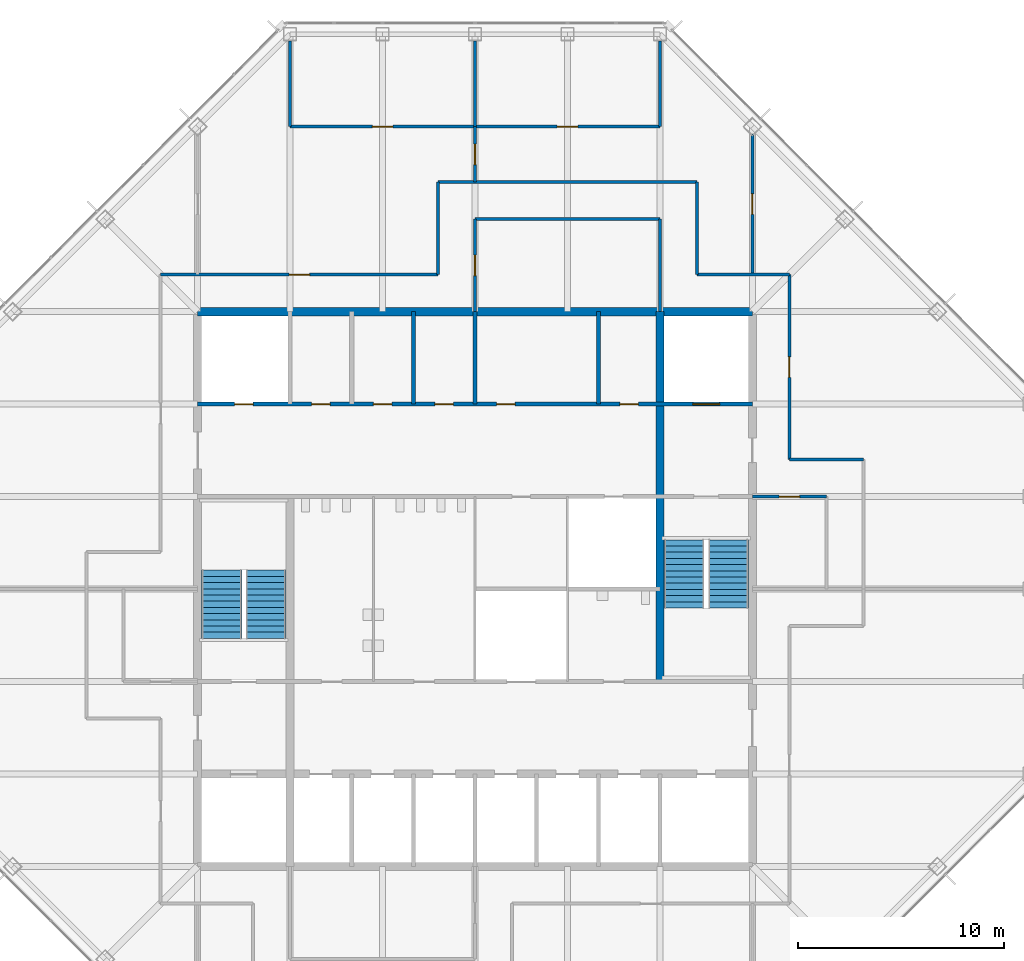
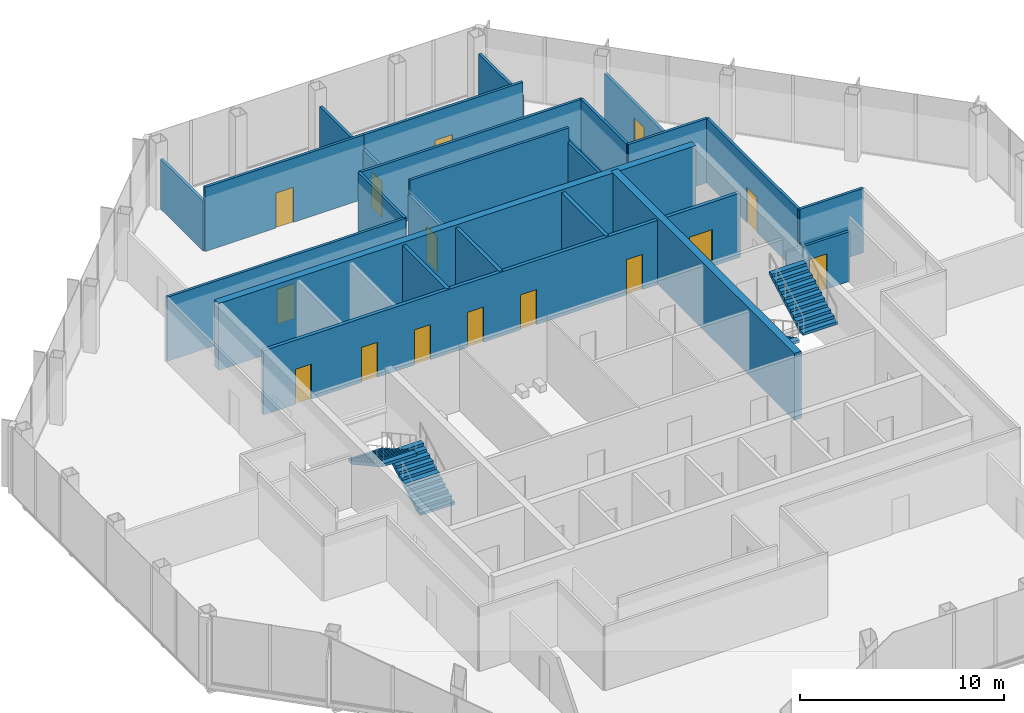
# One storey, part 11 of 13: 24 walls, 15 doors, 4 stair flights, 15 openings, 2 elements without a shape of their own.
"""IFC4 building model written with IfcOpenShell, lengths in metres."""

from ifc_helpers import new_model, si_unit, direction, frame, frame_2d, origin, place, context, subcontext, project, spatial, polyline, rectangle, outline, extrude, material, layer, layer_set, type_object, element, fill, aggregate, save


model = new_model("IFC4")

# Units and contexts
model_context = context("Model", 3, precision=1e-05, world=origin(), true_north=direction((0.0, 1.0)))
body_context = subcontext(model_context, "Body", "Model", "MODEL_VIEW")
ifc_project = project(units=[si_unit("LENGTHUNIT", "METRE"), si_unit("AREAUNIT", "SQUARE_METRE"), si_unit("VOLUMEUNIT", "CUBIC_METRE"), si_unit("PLANEANGLEUNIT", "RADIAN"), si_unit("MASSUNIT", "GRAM", prefix="KILO")], contexts=[model_context])

# Site, building, storey
site_placement = place(None, origin())
site = spatial("IfcSite", under=ifc_project, at=site_placement, CompositionType="ELEMENT")
building_placement = place(site_placement, origin())
building = spatial("IfcBuilding", under=site, at=building_placement, Name="Corais Broadcast Tower", CompositionType="ELEMENT")
storey_placement = place(building_placement, frame((0.0, 0.0, 242.60009765625)))
storey = spatial("IfcBuildingStorey", under=building, at=storey_placement, Name="L56", CompositionType="ELEMENT", Elevation=242.60009765625)

# Walls
ifc_material_1 = material(Name="Concrete C50/60", Category="concrete")
ifc_layer_1 = layer(ifc_material_1, 0.39990234375)
ifc_layer_set_1 = layer_set([ifc_layer_1], Name="Concrete C50/60")
wall_type_1 = type_object("IfcWallType", Name="Core wall 400", PredefinedType="SHEAR", material=ifc_layer_set_1)
wall_1_placement = place(storey_placement, frame((40.5, 40.5, 0.0), z_axis=(0.0, 0.0, 1.0), x_axis=(-1.0, 0.0, 0.0)))
element("IfcWall", 1, at=wall_1_placement, inside=storey, type_object=wall_type_1, Name="CR400 core wall N L56", PredefinedType="SHEAR", context=body_context, shape_type="SweptSolid", body=[
    extrude(rectangle(XDim=27.0, YDim=0.39990234375, at=frame_2d((13.5, 0.0))), origin(), (0.0, 0.0, 1.0), 4.0),
])
wall_2_placement = place(storey_placement, frame((36.0, 22.5, 0.0), z_axis=(0.0, 0.0, 1.0), x_axis=(0.0, 1.0, 0.0)))
element("IfcWall", 2, at=wall_2_placement, inside=storey, type_object=wall_type_1, Name="CR400 core wall X36B L56", PredefinedType="SHEAR", context=body_context, shape_type="SweptSolid", body=[
    extrude(rectangle(XDim=18.0, YDim=0.39990234375, at=frame_2d((9.0, 0.0))), origin(), (0.0, 0.0, 1.0), 4.0),
])

# Wall, openings, doors
ifc_material_2 = material(Name="Concrete blockwork class A, grouted, four-hour", Category="masonry")
ifc_layer_2 = layer(ifc_material_2, 0.199951171875)
ifc_layer_set_2 = layer_set([ifc_layer_2], Name="Concrete blockwork class A, grouted, four-hour")
wall_type_2 = type_object("IfcWallType", Name="Emergency lift shaft wall 200", PredefinedType="SOLIDWALL", material=ifc_layer_set_2)
wall_3_placement = place(storey_placement, frame((13.5, 36.0, 0.0), z_axis=(0.0, 0.0, 1.0), x_axis=(1.0, 0.0, 0.0)))
wall_3 = element("IfcWall", 3, at=wall_3_placement, inside=storey, type_object=wall_type_2, Name="LS3 core lobby wall Y36 L56", PredefinedType="SOLIDWALL", context=body_context, shape_type="SweptSolid", body=[
    extrude(rectangle(XDim=27.0, YDim=0.199951171875, at=frame_2d((13.5, 0.0))), origin(), (0.0, 0.0, 1.0), 3.83984375),
])
opening_1_placement = place(wall_3_placement, frame((1.800048828125, 0.0, 0.0)))
opening_1 = element("IfcOpeningElement", 4, at=opening_1_placement, cuts=wall_3, Name="Opening RD1", PredefinedType="OPENING", context=body_context, shape_type="SweptSolid", body=[
    extrude(rectangle(XDim=0.89990234375, YDim=2.10009765625, at=frame_2d((0.449951171875, 1.050048828125))), frame((0.0, 0.10986328125, 0.0), z_axis=(0.0, -1.0, 0.0), x_axis=(1.0, 0.0, 0.0)), (0.0, 0.0, 1.0), 0.219970703125),
])
opening_2_placement = place(wall_3_placement, frame((5.550048828125, 0.0, 0.0)))
opening_2 = element("IfcOpeningElement", 5, at=opening_2_placement, cuts=wall_3, Name="Opening RD1", PredefinedType="OPENING", context=body_context, shape_type="SweptSolid", body=[
    extrude(rectangle(XDim=0.89990234375, YDim=2.10009765625, at=frame_2d((0.449951171875, 1.050048828125))), frame((0.0, 0.10986328125, 0.0), z_axis=(0.0, -1.0, 0.0), x_axis=(1.0, 0.0, 0.0)), (0.0, 0.0, 1.0), 0.219970703125),
])
opening_3_placement = place(wall_3_placement, frame((8.550048828125, 0.0, 0.0)))
opening_3 = element("IfcOpeningElement", 6, at=opening_3_placement, cuts=wall_3, Name="Opening RD1", PredefinedType="OPENING", context=body_context, shape_type="SweptSolid", body=[
    extrude(rectangle(XDim=0.89990234375, YDim=2.10009765625, at=frame_2d((0.449951171875, 1.050048828125))), frame((0.0, 0.10986328125, 0.0), z_axis=(0.0, -1.0, 0.0), x_axis=(1.0, 0.0, 0.0)), (0.0, 0.0, 1.0), 0.219970703125),
])
opening_4_placement = place(wall_3_placement, frame((11.550048828125, 0.0, 0.0)))
opening_4 = element("IfcOpeningElement", 7, at=opening_4_placement, cuts=wall_3, Name="Opening RD1", PredefinedType="OPENING", context=body_context, shape_type="SweptSolid", body=[
    extrude(rectangle(XDim=0.89990234375, YDim=2.10009765625, at=frame_2d((0.449951171875, 1.050048828125))), frame((0.0, 0.10986328125, 0.0), z_axis=(0.0, -1.0, 0.0), x_axis=(1.0, 0.0, 0.0)), (0.0, 0.0, 1.0), 0.219970703125),
])
opening_5_placement = place(wall_3_placement, frame((14.550048828125, 0.0, 0.0)))
opening_5 = element("IfcOpeningElement", 8, at=opening_5_placement, cuts=wall_3, Name="Opening RD1", PredefinedType="OPENING", context=body_context, shape_type="SweptSolid", body=[
    extrude(rectangle(XDim=0.89990234375, YDim=2.10009765625, at=frame_2d((0.449951171875, 1.050048828125))), frame((0.0, 0.10986328125, 0.0), z_axis=(0.0, -1.0, 0.0), x_axis=(1.0, 0.0, 0.0)), (0.0, 0.0, 1.0), 0.219970703125),
])
opening_6_placement = place(wall_3_placement, frame((20.550048828125, 0.0, 0.0)))
opening_6 = element("IfcOpeningElement", 9, at=opening_6_placement, cuts=wall_3, Name="Opening RD1", PredefinedType="OPENING", context=body_context, shape_type="SweptSolid", body=[
    extrude(rectangle(XDim=0.89990234375, YDim=2.10009765625, at=frame_2d((0.449951171875, 1.050048828125))), frame((0.0, 0.10986328125, 0.0), z_axis=(0.0, -1.0, 0.0), x_axis=(1.0, 0.0, 0.0)), (0.0, 0.0, 1.0), 0.219970703125),
])
opening_7_placement = place(wall_3_placement, frame((24.10009765625, 0.0, 0.0)))
opening_7 = element("IfcOpeningElement", 10, at=opening_7_placement, cuts=wall_3, Name="Opening LD2", PredefinedType="OPENING", context=body_context, shape_type="SweptSolid", body=[
    extrude(rectangle(XDim=1.300048828125, YDim=2.199951171875, at=frame_2d((0.64990234375, 1.10009765625))), frame((0.0, 0.10986328125, 0.0), z_axis=(0.0, -1.0, 0.0), x_axis=(1.0, 0.0, 0.0)), (0.0, 0.0, 1.0), 0.219970703125),
])
ifc_material_3 = material(Name="Stainless steel lift door", Category="steel")
door_type_1 = type_object("IfcDoorType", Name="Lift landing door 1300x2200", OperationType="SLIDING_TO_LEFT", PredefinedType="DOOR", material=ifc_material_3)
door_1_placement = place(opening_7_placement, origin())
door_1 = element("IfcDoor", 11, at=door_1_placement, inside=storey, type_object=door_type_1, Name="LD2 FL2 landing door L56", OperationType="SLIDING_TO_LEFT", OverallHeight=2.199951171875, OverallWidth=1.300048828125, PredefinedType="DOOR", context=body_context, shape_type="SweptSolid", body=[
    extrude(rectangle(XDim=1.300048828125, YDim=2.199951171875, at=frame_2d((0.64990234375, 1.10009765625))), frame((0.0, 0.02490234375, 0.0), z_axis=(0.0, -1.0, 0.0), x_axis=(1.0, 0.0, 0.0)), (0.0, 0.0, 1.0), 0.050048828125),
])
fill(opening_7, door_1)
ifc_material_4 = material(Name="Steel fire door", Category="steel")
door_type_2 = type_object("IfcDoorType", Name="Riser door 900x2100", OperationType="SINGLE_SWING_LEFT", PredefinedType="DOOR", material=ifc_material_4)
door_2_placement = place(opening_1_placement, origin())
door_2 = element("IfcDoor", 12, at=door_2_placement, inside=storey, type_object=door_type_2, Name="RD1 riser door L56", OperationType="SINGLE_SWING_LEFT", OverallHeight=2.10009765625, OverallWidth=0.89990234375, PredefinedType="DOOR", context=body_context, shape_type="SweptSolid", body=[
    extrude(rectangle(XDim=0.89990234375, YDim=2.10009765625, at=frame_2d((0.449951171875, 1.050048828125))), frame((0.0, 0.02490234375, 0.0), z_axis=(0.0, -1.0, 0.0), x_axis=(1.0, 0.0, 0.0)), (0.0, 0.0, 1.0), 0.050048828125),
])
fill(opening_1, door_2)
door_3_placement = place(opening_2_placement, origin())
door_3 = element("IfcDoor", 13, at=door_3_placement, inside=storey, type_object=door_type_2, Name="RD1 stationery store door L56", OperationType="SINGLE_SWING_LEFT", OverallHeight=2.10009765625, OverallWidth=0.89990234375, PredefinedType="DOOR", context=body_context, shape_type="SweptSolid", body=[
    extrude(rectangle(XDim=0.89990234375, YDim=2.10009765625, at=frame_2d((0.449951171875, 1.050048828125))), frame((0.0, 0.02490234375, 0.0), z_axis=(0.0, -1.0, 0.0), x_axis=(1.0, 0.0, 0.0)), (0.0, 0.0, 1.0), 0.050048828125),
])
fill(opening_2, door_3)
door_4_placement = place(opening_3_placement, origin())
door_4 = element("IfcDoor", 14, at=door_4_placement, inside=storey, type_object=door_type_2, Name="RD1 vending room door L56", OperationType="SINGLE_SWING_LEFT", OverallHeight=2.10009765625, OverallWidth=0.89990234375, PredefinedType="DOOR", context=body_context, shape_type="SweptSolid", body=[
    extrude(rectangle(XDim=0.89990234375, YDim=2.10009765625, at=frame_2d((0.449951171875, 1.050048828125))), frame((0.0, 0.02490234375, 0.0), z_axis=(0.0, -1.0, 0.0), x_axis=(1.0, 0.0, 0.0)), (0.0, 0.0, 1.0), 0.050048828125),
])
fill(opening_3, door_4)
door_5_placement = place(opening_4_placement, origin())
door_5 = element("IfcDoor", 15, at=door_5_placement, inside=storey, type_object=door_type_2, Name="RD1 av equipment room door L56", OperationType="SINGLE_SWING_LEFT", OverallHeight=2.10009765625, OverallWidth=0.89990234375, PredefinedType="DOOR", context=body_context, shape_type="SweptSolid", body=[
    extrude(rectangle(XDim=0.89990234375, YDim=2.10009765625, at=frame_2d((0.449951171875, 1.050048828125))), frame((0.0, 0.02490234375, 0.0), z_axis=(0.0, -1.0, 0.0), x_axis=(1.0, 0.0, 0.0)), (0.0, 0.0, 1.0), 0.050048828125),
])
fill(opening_4, door_5)
door_6_placement = place(opening_5_placement, origin())
door_6 = element("IfcDoor", 16, at=door_6_placement, inside=storey, type_object=door_type_2, Name="RD1 media store door L56", OperationType="SINGLE_SWING_RIGHT", OverallHeight=2.10009765625, OverallWidth=0.89990234375, PredefinedType="DOOR", context=body_context, shape_type="SweptSolid", body=[
    extrude(rectangle(XDim=0.89990234375, YDim=2.10009765625, at=frame_2d((0.449951171875, 1.050048828125))), frame((0.0, 0.02490234375, 0.0), z_axis=(0.0, -1.0, 0.0), x_axis=(1.0, 0.0, 0.0)), (0.0, 0.0, 1.0), 0.050048828125),
])
fill(opening_5, door_6)
door_7_placement = place(opening_6_placement, origin())
door_7 = element("IfcDoor", 17, at=door_7_placement, inside=storey, type_object=door_type_2, Name="RD1 locker room door L56", OperationType="SINGLE_SWING_RIGHT", OverallHeight=2.10009765625, OverallWidth=0.89990234375, PredefinedType="DOOR", context=body_context, shape_type="SweptSolid", body=[
    extrude(rectangle(XDim=0.89990234375, YDim=2.10009765625, at=frame_2d((0.449951171875, 1.050048828125))), frame((0.0, 0.02490234375, 0.0), z_axis=(0.0, -1.0, 0.0), x_axis=(1.0, 0.0, 0.0)), (0.0, 0.0, 1.0), 0.050048828125),
])
fill(opening_6, door_7)

# Wall, opening, door
ifc_material_5 = material(Name="Gypsum board on steel studs", Category="steel")
ifc_layer_3 = layer(ifc_material_5, 0.14990234375)
ifc_layer_set_3 = layer_set([ifc_layer_3], Name="Gypsum board on steel studs")
wall_type_3 = type_object("IfcWallType", Name="Partition 150", PredefinedType="PARTITIONING", material=ifc_layer_set_3)
wall_4_placement = place(storey_placement, frame((25.199951171875, 42.300048828125, 0.0), z_axis=(0.0, 0.0, 1.0), x_axis=(-1.0, 0.0, 0.0)))
wall_4 = element("IfcWall", 18, at=wall_4_placement, inside=storey, type_object=wall_type_3, Name="IW3 corridor wall L56", PredefinedType="PARTITIONING", context=body_context, shape_type="SweptSolid", body=[
    extrude(rectangle(XDim=13.5, YDim=0.14990234375, at=frame_2d((6.75, 0.0))), origin(), (0.0, 0.0, 1.0), 3.83984375),
])
opening_8_placement = place(wall_4_placement, frame((6.25, 0.0, 0.0)))
opening_8 = element("IfcOpeningElement", 19, at=opening_8_placement, cuts=wall_4, Name="Opening D1", PredefinedType="OPENING", context=body_context, shape_type="SweptSolid", body=[
    extrude(rectangle(XDim=1.0, YDim=2.10009765625, at=frame_2d((0.5, 1.050048828125))), frame((0.0, 0.0849609375, 0.0), z_axis=(0.0, -1.0, 0.0), x_axis=(1.0, 0.0, 0.0)), (0.0, 0.0, 1.0), 0.169921875),
])
ifc_material_6 = material(Name="Timber door", Category="wood")
door_type_3 = type_object("IfcDoorType", Name="Single door 1000x2100", OperationType="SINGLE_SWING_LEFT", PredefinedType="DOOR", material=ifc_material_6)
door_8_placement = place(opening_8_placement, origin())
door_8 = element("IfcDoor", 20, at=door_8_placement, inside=storey, type_object=door_type_3, Name="D1 workplace door L56", OperationType="SINGLE_SWING_LEFT", OverallHeight=2.10009765625, OverallWidth=1.0, PredefinedType="DOOR", context=body_context, shape_type="SweptSolid", body=[
    extrude(rectangle(XDim=1.0, YDim=2.10009765625, at=frame_2d((0.5, 1.050048828125))), frame((0.0, 0.02490234375, 0.0), z_axis=(0.0, -1.0, 0.0), x_axis=(1.0, 0.0, 0.0)), (0.0, 0.0, 1.0), 0.050048828125),
])
fill(opening_8, door_8)

# Wall
wall_5_placement = place(storey_placement, frame((37.800048828125, 46.800048828125, 0.0), z_axis=(0.0, 0.0, 1.0), x_axis=(-1.0, 0.0, 0.0)))
element("IfcWall", 21, at=wall_5_placement, inside=storey, type_object=wall_type_3, Name="IW3 corridor wall L56", PredefinedType="PARTITIONING", context=body_context, shape_type="SweptSolid", body=[
    extrude(rectangle(XDim=12.60009765625, YDim=0.14990234375, at=frame_2d((6.300048828125, 0.0))), origin(), (0.0, 0.0, 1.0), 3.83984375),
])

# Wall, opening, door
wall_6_placement = place(storey_placement, frame((42.300048828125, 33.300048828125, 0.0), z_axis=(0.0, 0.0, 1.0), x_axis=(0.0, 1.0, 0.0)))
wall_6 = element("IfcWall", 22, at=wall_6_placement, inside=storey, type_object=wall_type_3, Name="IW3 corridor wall L56", PredefinedType="PARTITIONING", context=body_context, shape_type="SweptSolid", body=[
    extrude(rectangle(XDim=9.0, YDim=0.14990234375, at=frame_2d((4.5, 0.0))), origin(), (0.0, 0.0, 1.0), 3.83984375),
])
opening_9_placement = place(wall_6_placement, frame((4.0, 0.0, 0.0)))
opening_9 = element("IfcOpeningElement", 23, at=opening_9_placement, cuts=wall_6, Name="Opening D1", PredefinedType="OPENING", context=body_context, shape_type="SweptSolid", body=[
    extrude(rectangle(XDim=1.0, YDim=2.10009765625, at=frame_2d((0.5, 1.050048828125))), frame((0.0, 0.0849609375, 0.0), z_axis=(0.0, -1.0, 0.0), x_axis=(1.0, 0.0, 0.0)), (0.0, 0.0, 1.0), 0.169921875),
])
door_9_placement = place(opening_9_placement, origin())
door_9 = element("IfcDoor", 24, at=door_9_placement, inside=storey, type_object=door_type_3, Name="D1 workplace door L56", OperationType="SINGLE_SWING_LEFT", OverallHeight=2.10009765625, OverallWidth=1.0, PredefinedType="DOOR", context=body_context, shape_type="SweptSolid", body=[
    extrude(rectangle(XDim=1.0, YDim=2.10009765625, at=frame_2d((0.5, 1.050048828125))), frame((0.0, 0.02490234375, 0.0), z_axis=(0.0, -1.0, 0.0), x_axis=(1.0, 0.0, 0.0)), (0.0, 0.0, 1.0), 0.050048828125),
])
fill(opening_9, door_9)

# Walls
for number, where, z_axis, x_axis, name in (
    (25, (25.199951171875, 46.800048828125, 0.0), (0.0, 0.0, 1.0), (0.0, -1.0, 0.0), "IW3 corridor wall L56"),
    (26, (37.800048828125, 42.300048828125, 0.0), (0.0, 0.0, 1.0), (0.0, 1.0, 0.0), "IW3 corridor wall L56"),
    (27, (42.300048828125, 42.300048828125, 0.0), (0.0, 0.0, 1.0), (-1.0, 0.0, 0.0), "IW3 corridor wall L56"),
):
    element("IfcWall", number, at=place(storey_placement, frame(where, z_axis=z_axis, x_axis=x_axis)), inside=storey, type_object=wall_type_3, Name=name, PredefinedType="PARTITIONING", context=body_context, shape_type="SweptSolid", body=[
        extrude(rectangle(XDim=4.5, YDim=0.14990234375, at=frame_2d((2.25, 0.0))), origin(), (0.0, 0.0, 1.0), 3.83984375),
    ])
wall_7_placement = place(storey_placement, frame((45.89990234375, 33.300048828125, 0.0), z_axis=(0.0, 0.0, 1.0), x_axis=(-1.0, 0.0, 0.0)))
element("IfcWall", 28, at=wall_7_placement, inside=storey, type_object=wall_type_3, Name="IW3 corridor wall L56", PredefinedType="PARTITIONING", context=body_context, shape_type="SweptSolid", body=[
    extrude(rectangle(XDim=3.599853515625, YDim=0.14990234375, at=frame_2d((1.7998046875, 0.0))), origin(), (0.0, 0.0, 1.0), 3.83984375),
])
wall_8_placement = place(storey_placement, frame((36.0, 40.5, 0.0), z_axis=(0.0, 0.0, 1.0), x_axis=(0.0, 1.0, 0.0)))
element("IfcWall", 29, at=wall_8_placement, inside=storey, type_object=wall_type_3, Name="IW3 partition L56", PredefinedType="PARTITIONING", context=body_context, shape_type="SweptSolid", body=[
    extrude(rectangle(XDim=4.5, YDim=0.14990234375, at=frame_2d((2.25, 0.0))), origin(), (0.0, 0.0, 1.0), 2.989013671875),
])
wall_9_placement = place(storey_placement, frame((36.0, 45.0, 0.0), z_axis=(0.0, 0.0, 1.0), x_axis=(-1.0, 0.0, 0.0)))
element("IfcWall", 30, at=wall_9_placement, inside=storey, type_object=wall_type_3, Name="IW3 partition L56", PredefinedType="PARTITIONING", context=body_context, shape_type="SweptSolid", body=[
    extrude(rectangle(XDim=9.0, YDim=0.14990234375, at=frame_2d((4.5, 0.0))), origin(), (0.0, 0.0, 1.0), 3.83984375),
])

# Wall, opening, door
wall_10_placement = place(storey_placement, frame((27.0, 45.0, 0.0), z_axis=(0.0, 0.0, 1.0), x_axis=(0.0, -1.0, 0.0)))
wall_10 = element("IfcWall", 31, at=wall_10_placement, inside=storey, type_object=wall_type_3, Name="IW3 partition L56", PredefinedType="PARTITIONING", context=body_context, shape_type="SweptSolid", body=[
    extrude(rectangle(XDim=4.5, YDim=0.14990234375, at=frame_2d((2.25, 0.0))), origin(), (0.0, 0.0, 1.0), 2.989013671875),
])
opening_10_placement = place(wall_10_placement, frame((1.75, 0.0, 0.0)))
opening_10 = element("IfcOpeningElement", 32, at=opening_10_placement, cuts=wall_10, Name="Opening D1", PredefinedType="OPENING", context=body_context, shape_type="SweptSolid", body=[
    extrude(rectangle(XDim=1.0, YDim=2.10009765625, at=frame_2d((0.5, 1.050048828125))), frame((0.0, 0.0849609375, 0.0), z_axis=(0.0, -1.0, 0.0), x_axis=(1.0, 0.0, 0.0)), (0.0, 0.0, 1.0), 0.169921875),
])
door_10_placement = place(opening_10_placement, origin())
door_10 = element("IfcDoor", 33, at=door_10_placement, inside=storey, type_object=door_type_3, Name="D1 Meeting room door", OperationType="SINGLE_SWING_LEFT", OverallHeight=2.10009765625, OverallWidth=1.0, PredefinedType="DOOR", context=body_context, shape_type="SweptSolid", body=[
    extrude(rectangle(XDim=1.0, YDim=2.10009765625, at=frame_2d((0.5, 1.050048828125))), frame((0.0, 0.02490234375, 0.0), z_axis=(0.0, -1.0, 0.0), x_axis=(1.0, 0.0, 0.0)), (0.0, 0.0, 1.0), 0.050048828125),
])
fill(opening_10, door_10)

wall_11_placement = place(storey_placement, frame((44.10009765625, 31.5, 0.0), z_axis=(0.0, 0.0, 1.0), x_axis=(-1.0, 0.0, 0.0)))
wall_11 = element("IfcWall", 34, at=wall_11_placement, inside=storey, type_object=wall_type_3, Name="IW3 partition L56", PredefinedType="PARTITIONING", context=body_context, shape_type="SweptSolid", body=[
    extrude(rectangle(XDim=3.60009765625, YDim=0.14990234375, at=frame_2d((1.800048828125, 0.0))), origin(), (0.0, 0.0, 1.0), 2.989013671875),
])
opening_11_placement = place(wall_11_placement, frame((1.300048828125, 0.0, 0.0)))
opening_11 = element("IfcOpeningElement", 35, at=opening_11_placement, cuts=wall_11, Name="Opening D1", PredefinedType="OPENING", context=body_context, shape_type="SweptSolid", body=[
    extrude(rectangle(XDim=1.0, YDim=2.10009765625, at=frame_2d((0.5, 1.050048828125))), frame((0.0, 0.0849609375, 0.0), z_axis=(0.0, -1.0, 0.0), x_axis=(1.0, 0.0, 0.0)), (0.0, 0.0, 1.0), 0.169921875),
])
door_11_placement = place(opening_11_placement, origin())
door_11 = element("IfcDoor", 36, at=door_11_placement, inside=storey, type_object=door_type_3, Name="D1 Pantry door", OperationType="SINGLE_SWING_LEFT", OverallHeight=2.10009765625, OverallWidth=1.0, PredefinedType="DOOR", context=body_context, shape_type="SweptSolid", body=[
    extrude(rectangle(XDim=1.0, YDim=2.10009765625, at=frame_2d((0.5, 1.050048828125))), frame((0.0, 0.02490234375, 0.0), z_axis=(0.0, -1.0, 0.0), x_axis=(1.0, 0.0, 0.0)), (0.0, 0.0, 1.0), 0.050048828125),
])
fill(opening_11, door_11)

wall_12_placement = place(storey_placement, frame((18.0, 49.5, 0.0), z_axis=(0.0, 0.0, 1.0), x_axis=(1.0, 0.0, 0.0)))
wall_12 = element("IfcWall", 37, at=wall_12_placement, inside=storey, type_object=wall_type_3, Name="IW3 partition L56", PredefinedType="PARTITIONING", context=body_context, shape_type="SweptSolid", body=[
    extrude(rectangle(XDim=9.0, YDim=0.14990234375, at=frame_2d((4.5, 0.0))), origin(), (0.0, 0.0, 1.0), 3.83984375),
])
opening_12_placement = place(wall_12_placement, frame((4.0, 0.0, 0.0)))
opening_12 = element("IfcOpeningElement", 38, at=opening_12_placement, cuts=wall_12, Name="Opening D1", PredefinedType="OPENING", context=body_context, shape_type="SweptSolid", body=[
    extrude(rectangle(XDim=1.0, YDim=2.10009765625, at=frame_2d((0.5, 1.050048828125))), frame((0.0, 0.0849609375, 0.0), z_axis=(0.0, -1.0, 0.0), x_axis=(1.0, 0.0, 0.0)), (0.0, 0.0, 1.0), 0.169921875),
])
door_12_placement = place(opening_12_placement, origin())
door_12 = element("IfcDoor", 39, at=door_12_placement, inside=storey, type_object=door_type_3, Name="D1 Office door", OperationType="SINGLE_SWING_LEFT", OverallHeight=2.10009765625, OverallWidth=1.0, PredefinedType="DOOR", context=body_context, shape_type="SweptSolid", body=[
    extrude(rectangle(XDim=1.0, YDim=2.10009765625, at=frame_2d((0.5, 1.050048828125))), frame((0.0, 0.02490234375, 0.0), z_axis=(0.0, -1.0, 0.0), x_axis=(1.0, 0.0, 0.0)), (0.0, 0.0, 1.0), 0.050048828125),
])
fill(opening_12, door_12)

# Walls
for number, where, z_axis, x_axis, name in (
    (40, (27.0, 49.5, 0.0), (0.0, 0.0, 1.0), (0.0, 1.0, 0.0), "IW3 partition L56"),
    (41, (18.0, 53.6650390625, 0.0), (0.0, 0.0, 1.0), (0.0, -1.0, 0.0), "IW3 partition L56"),
):
    element("IfcWall", number, at=place(storey_placement, frame(where, z_axis=z_axis, x_axis=x_axis)), inside=storey, type_object=wall_type_3, Name=name, PredefinedType="PARTITIONING", context=body_context, shape_type="SweptSolid", body=[
        extrude(rectangle(XDim=4.1650390625, YDim=0.14990234375, at=frame_2d((2.08251953125, 0.0))), origin(), (0.0, 0.0, 1.0), 2.989013671875),
    ])

# Wall, opening, door
wall_13_placement = place(storey_placement, frame((27.0, 49.5, 0.0), z_axis=(0.0, 0.0, 1.0), x_axis=(1.0, 0.0, 0.0)))
wall_13 = element("IfcWall", 42, at=wall_13_placement, inside=storey, type_object=wall_type_3, Name="IW3 partition L56", PredefinedType="PARTITIONING", context=body_context, shape_type="SweptSolid", body=[
    extrude(rectangle(XDim=9.0, YDim=0.14990234375, at=frame_2d((4.5, 0.0))), origin(), (0.0, 0.0, 1.0), 3.83984375),
])
opening_13_placement = place(wall_13_placement, frame((4.0, 0.0, 0.0)))
opening_13 = element("IfcOpeningElement", 43, at=opening_13_placement, cuts=wall_13, Name="Opening D1", PredefinedType="OPENING", context=body_context, shape_type="SweptSolid", body=[
    extrude(rectangle(XDim=1.0, YDim=2.10009765625, at=frame_2d((0.5, 1.050048828125))), frame((0.0, 0.0849609375, 0.0), z_axis=(0.0, -1.0, 0.0), x_axis=(1.0, 0.0, 0.0)), (0.0, 0.0, 1.0), 0.169921875),
])
door_13_placement = place(opening_13_placement, origin())
door_13 = element("IfcDoor", 44, at=door_13_placement, inside=storey, type_object=door_type_3, Name="D1 Office door", OperationType="SINGLE_SWING_LEFT", OverallHeight=2.10009765625, OverallWidth=1.0, PredefinedType="DOOR", context=body_context, shape_type="SweptSolid", body=[
    extrude(rectangle(XDim=1.0, YDim=2.10009765625, at=frame_2d((0.5, 1.050048828125))), frame((0.0, 0.02490234375, 0.0), z_axis=(0.0, -1.0, 0.0), x_axis=(1.0, 0.0, 0.0)), (0.0, 0.0, 1.0), 0.050048828125),
])
fill(opening_13, door_13)

# Wall
wall_14_placement = place(storey_placement, frame((36.0, 49.5, 0.0), z_axis=(0.0, 0.0, 1.0), x_axis=(0.0, 1.0, 0.0)))
element("IfcWall", 45, at=wall_14_placement, inside=storey, type_object=wall_type_3, Name="IW3 partition L56", PredefinedType="PARTITIONING", context=body_context, shape_type="SweptSolid", body=[
    extrude(rectangle(XDim=4.1650390625, YDim=0.14990234375, at=frame_2d((2.08251953125, 0.0))), origin(), (0.0, 0.0, 1.0), 2.989013671875),
])

# Wall, opening, door
wall_15_placement = place(storey_placement, frame((27.0, 49.5, 0.0), z_axis=(0.0, 0.0, 1.0), x_axis=(0.0, -1.0, 0.0)))
wall_15 = element("IfcWall", 46, at=wall_15_placement, inside=storey, type_object=wall_type_3, Name="IW3 partition L56", PredefinedType="PARTITIONING", context=body_context, shape_type="SweptSolid", body=[
    extrude(rectangle(XDim=2.699951171875, YDim=0.14990234375, at=frame_2d((1.35009765625, 0.0))), origin(), (0.0, 0.0, 1.0), 2.989013671875),
])
opening_14_placement = place(wall_15_placement, frame((0.85009765625, 0.0, 0.0)))
opening_14 = element("IfcOpeningElement", 47, at=opening_14_placement, cuts=wall_15, Name="Opening D1", PredefinedType="OPENING", context=body_context, shape_type="SweptSolid", body=[
    extrude(rectangle(XDim=1.0, YDim=2.10009765625, at=frame_2d((0.5, 1.050048828125))), frame((0.0, 0.0849609375, 0.0), z_axis=(0.0, -1.0, 0.0), x_axis=(1.0, 0.0, 0.0)), (0.0, 0.0, 1.0), 0.169921875),
])
door_14_placement = place(opening_14_placement, origin())
door_14 = element("IfcDoor", 48, at=door_14_placement, inside=storey, type_object=door_type_3, Name="D1 team room door L56", OperationType="SINGLE_SWING_LEFT", OverallHeight=2.10009765625, OverallWidth=1.0, PredefinedType="DOOR", context=body_context, shape_type="SweptSolid", body=[
    extrude(rectangle(XDim=1.0, YDim=2.10009765625, at=frame_2d((0.5, 1.050048828125))), frame((0.0, 0.02490234375, 0.0), z_axis=(0.0, -1.0, 0.0), x_axis=(1.0, 0.0, 0.0)), (0.0, 0.0, 1.0), 0.050048828125),
])
fill(opening_14, door_14)

wall_16_placement = place(storey_placement, frame((40.5, 42.300048828125, 0.0), z_axis=(0.0, 0.0, 1.0), x_axis=(0.0, 1.0, 0.0)))
wall_16 = element("IfcWall", 49, at=wall_16_placement, inside=storey, type_object=wall_type_3, Name="IW3 partition L56", PredefinedType="PARTITIONING", context=body_context, shape_type="SweptSolid", body=[
    extrude(rectangle(XDim=6.85498046875, YDim=0.14990234375, at=frame_2d((3.427490234375, 0.0))), origin(), (0.0, 0.0, 1.0), 2.989013671875),
])
opening_15_placement = place(wall_16_placement, frame((2.927490234375, 0.0, 0.0)))
opening_15 = element("IfcOpeningElement", 50, at=opening_15_placement, cuts=wall_16, Name="Opening D1", PredefinedType="OPENING", context=body_context, shape_type="SweptSolid", body=[
    extrude(rectangle(XDim=1.0, YDim=2.10009765625, at=frame_2d((0.5, 1.050048828125))), frame((0.0, 0.0849609375, 0.0), z_axis=(0.0, -1.0, 0.0), x_axis=(1.0, 0.0, 0.0)), (0.0, 0.0, 1.0), 0.169921875),
])
door_15_placement = place(opening_15_placement, origin())
door_15 = element("IfcDoor", 51, at=door_15_placement, inside=storey, type_object=door_type_3, Name="D1 team room door L56", OperationType="SINGLE_SWING_LEFT", OverallHeight=2.10009765625, OverallWidth=1.0, PredefinedType="DOOR", context=body_context, shape_type="SweptSolid", body=[
    extrude(rectangle(XDim=1.0, YDim=2.10009765625, at=frame_2d((0.5, 1.050048828125))), frame((0.0, 0.02490234375, 0.0), z_axis=(0.0, -1.0, 0.0), x_axis=(1.0, 0.0, 0.0)), (0.0, 0.0, 1.0), 0.050048828125),
])
fill(opening_15, door_15)

# Walls
ifc_material_7 = material(Name="Concrete blockwork class A, grouted, two-hour", Category="masonry")
ifc_layer_4 = layer(ifc_material_7, 0.199951171875)
ifc_layer_set_4 = layer_set([ifc_layer_4], Name="Concrete blockwork class A, grouted, two-hour")
wall_type_4 = type_object("IfcWallType", Name="Shaft wall 200", PredefinedType="PARTITIONING", material=ifc_layer_set_4)
for number, where, z_axis, x_axis, name in (
    (52, (24.0, 36.0, 0.0), (0.0, 0.0, 1.0), (0.0, 1.0, 0.0), "IW1 shaft wall L56"),
    (53, (27.0, 36.0, 0.0), (0.0, 0.0, 1.0), (0.0, 1.0, 0.0), "IW1 shaft wall L56"),
    (54, (33.0, 36.0, 0.0), (0.0, 0.0, 1.0), (0.0, 1.0, 0.0), "IW1 shaft wall L56"),
):
    element("IfcWall", number, at=place(storey_placement, frame(where, z_axis=z_axis, x_axis=x_axis)), inside=storey, type_object=wall_type_4, Name=name, PredefinedType="PARTITIONING", context=body_context, shape_type="SweptSolid", body=[
        extrude(rectangle(XDim=4.5, YDim=0.199951171875, at=frame_2d((2.25, 0.0))), origin(), (0.0, 0.0, 1.0), 3.83984375),
    ])

# Stair, stair flights
ifc_material_8 = material(Name="Concrete C30/37", Category="concrete")
stair_type = type_object("IfcStairType", Name="Half-turn stair 4000", PredefinedType="HALF_TURN_STAIR", material=ifc_material_8)
stair_1_placement = place(storey_placement, origin())
stair_1 = element("IfcStair", 55, at=stair_1_placement, inside=storey, type_object=stair_type, Name="Stair A L56", PredefinedType="HALF_TURN_STAIR")
ifc_material_9 = material(Name="Concrete C30/37", Category="concrete")
stair_flight_type = type_object("IfcStairFlightType", Name="Stair flight 4000", PredefinedType="STRAIGHT", material=ifc_material_9)
stair_flight_1_placement = place(storey_placement, frame((16.824951171875, 24.60009765625, 0.0), z_axis=(0.0, 0.0, 1.0), x_axis=(0.0, 1.0, 0.0)))
stair_flight_1 = element("IfcStairFlight", 56, at=stair_flight_1_placement, type_object=stair_flight_type, Name="STA flight 1", NumberOfRisers=12, NumberOfTreads=11, PredefinedType="STRAIGHT", RiserHeight=0.166666667, TreadLength=0.302, context=body_context, shape_type="SweptSolid", body=[
    extrude(outline(polyline([(0.0, 0.0), (0.0, 0.166748046875), (0.302001953125, 0.166748046875), (0.302001953125, 0.333251953125), (0.60400390625, 0.333251953125), (0.60400390625, 0.5), (0.906005859375, 0.5), (0.906005859375, 0.666748046875), (1.2080078125, 0.666748046875), (1.2080078125, 0.833251953125), (1.510009765625, 0.833251953125), (1.510009765625, 1.0), (1.81201171875, 1.0), (1.81201171875, 1.166748046875), (2.114013671875, 1.166748046875), (2.114013671875, 1.333251953125), (2.416015625, 1.333251953125), (2.416015625, 1.5), (2.718017578125, 1.5), (2.718017578125, 1.666748046875), (3.02001953125, 1.666748046875), (3.02001953125, 1.833251953125), (3.322021484375, 1.833251953125), (3.322021484375, 2.0), (3.322021484375, 1.662109375), (0.310302734375, 0.0), (0.0, 0.0)])), frame((0.0, 0.97509765625, 0.0), z_axis=(0.0, -1.0, 0.0), x_axis=(1.0, 0.0, 0.0)), (0.0, 0.0, 1.0), 1.949951171875),
])
stair_flight_2_placement = place(storey_placement, frame((14.675048828125, 27.922119140625, 2.0), z_axis=(0.0, 0.0, 1.0), x_axis=(0.0, -1.0, 0.0)))
stair_flight_2 = element("IfcStairFlight", 57, at=stair_flight_2_placement, type_object=stair_flight_type, Name="STA flight 2", NumberOfRisers=12, NumberOfTreads=11, PredefinedType="STRAIGHT", RiserHeight=0.166666667, TreadLength=0.302, context=body_context, shape_type="SweptSolid", body=[
    extrude(outline(polyline([(0.0, 0.0), (0.0, 0.166748046875), (0.302001953125, 0.166748046875), (0.302001953125, 0.333251953125), (0.60400390625, 0.333251953125), (0.60400390625, 0.5), (0.906005859375, 0.5), (0.906005859375, 0.666748046875), (1.2080078125, 0.666748046875), (1.2080078125, 0.833251953125), (1.510009765625, 0.833251953125), (1.510009765625, 1.0), (1.81201171875, 1.0), (1.81201171875, 1.166748046875), (2.114013671875, 1.166748046875), (2.114013671875, 1.333251953125), (2.416015625, 1.333251953125), (2.416015625, 1.5), (2.718017578125, 1.5), (2.718017578125, 1.666748046875), (3.02001953125, 1.666748046875), (3.02001953125, 1.833251953125), (3.322021484375, 1.833251953125), (3.322021484375, 2.0), (3.322021484375, 1.662109375), (0.310302734375, 0.0), (0.0, 0.0)])), frame((0.0, 0.97509765625, 0.0), z_axis=(0.0, -1.0, 0.0), x_axis=(1.0, 0.0, 0.0)), (0.0, 0.0, 1.0), 1.949951171875),
])
aggregate(stair_1, [stair_flight_1, stair_flight_2])

stair_2_placement = place(storey_placement, origin())
stair_2 = element("IfcStair", 58, at=stair_2_placement, inside=storey, type_object=stair_type, Name="Stair B L56", PredefinedType="HALF_TURN_STAIR")
stair_flight_3_placement = place(storey_placement, frame((37.175048828125, 29.39990234375, 0.0), z_axis=(0.0, 0.0, 1.0), x_axis=(0.0, -1.0, 0.0)))
stair_flight_3 = element("IfcStairFlight", 59, at=stair_flight_3_placement, type_object=stair_flight_type, Name="STB flight 1", NumberOfRisers=12, NumberOfTreads=11, PredefinedType="STRAIGHT", RiserHeight=0.166666667, TreadLength=0.302, context=body_context, shape_type="SweptSolid", body=[
    extrude(outline(polyline([(0.0, 0.0), (0.0, 0.166748046875), (0.302001953125, 0.166748046875), (0.302001953125, 0.333251953125), (0.60400390625, 0.333251953125), (0.60400390625, 0.5), (0.906005859375, 0.5), (0.906005859375, 0.666748046875), (1.2080078125, 0.666748046875), (1.2080078125, 0.833251953125), (1.510009765625, 0.833251953125), (1.510009765625, 1.0), (1.81201171875, 1.0), (1.81201171875, 1.166748046875), (2.114013671875, 1.166748046875), (2.114013671875, 1.333251953125), (2.416015625, 1.333251953125), (2.416015625, 1.5), (2.718017578125, 1.5), (2.718017578125, 1.666748046875), (3.02001953125, 1.666748046875), (3.02001953125, 1.833251953125), (3.322021484375, 1.833251953125), (3.322021484375, 2.0), (3.322021484375, 1.662109375), (0.310302734375, 0.0), (0.0, 0.0)])), frame((0.0, 0.97509765625, 0.0), z_axis=(0.0, -1.0, 0.0), x_axis=(1.0, 0.0, 0.0)), (0.0, 0.0, 1.0), 1.949951171875),
])
stair_flight_4_placement = place(storey_placement, frame((39.324951171875, 26.077880859375, 2.0), z_axis=(0.0, 0.0, 1.0), x_axis=(0.0, 1.0, 0.0)))
stair_flight_4 = element("IfcStairFlight", 60, at=stair_flight_4_placement, type_object=stair_flight_type, Name="STB flight 2", NumberOfRisers=12, NumberOfTreads=11, PredefinedType="STRAIGHT", RiserHeight=0.166666667, TreadLength=0.302, context=body_context, shape_type="SweptSolid", body=[
    extrude(outline(polyline([(0.0, 0.0), (0.0, 0.166748046875), (0.302001953125, 0.166748046875), (0.302001953125, 0.333251953125), (0.60400390625, 0.333251953125), (0.60400390625, 0.5), (0.906005859375, 0.5), (0.906005859375, 0.666748046875), (1.2080078125, 0.666748046875), (1.2080078125, 0.833251953125), (1.510009765625, 0.833251953125), (1.510009765625, 1.0), (1.81201171875, 1.0), (1.81201171875, 1.166748046875), (2.114013671875, 1.166748046875), (2.114013671875, 1.333251953125), (2.416015625, 1.333251953125), (2.416015625, 1.5), (2.718017578125, 1.5), (2.718017578125, 1.666748046875), (3.02001953125, 1.666748046875), (3.02001953125, 1.833251953125), (3.322021484375, 1.833251953125), (3.322021484375, 2.0), (3.322021484375, 1.662109375), (0.310302734375, 0.0), (0.0, 0.0)])), frame((0.0, 0.97509765625, 0.0), z_axis=(0.0, -1.0, 0.0), x_axis=(1.0, 0.0, 0.0)), (0.0, 0.0, 1.0), 1.949951171875),
])
aggregate(stair_2, [stair_flight_3, stair_flight_4])

save(model, "model.ifc")
